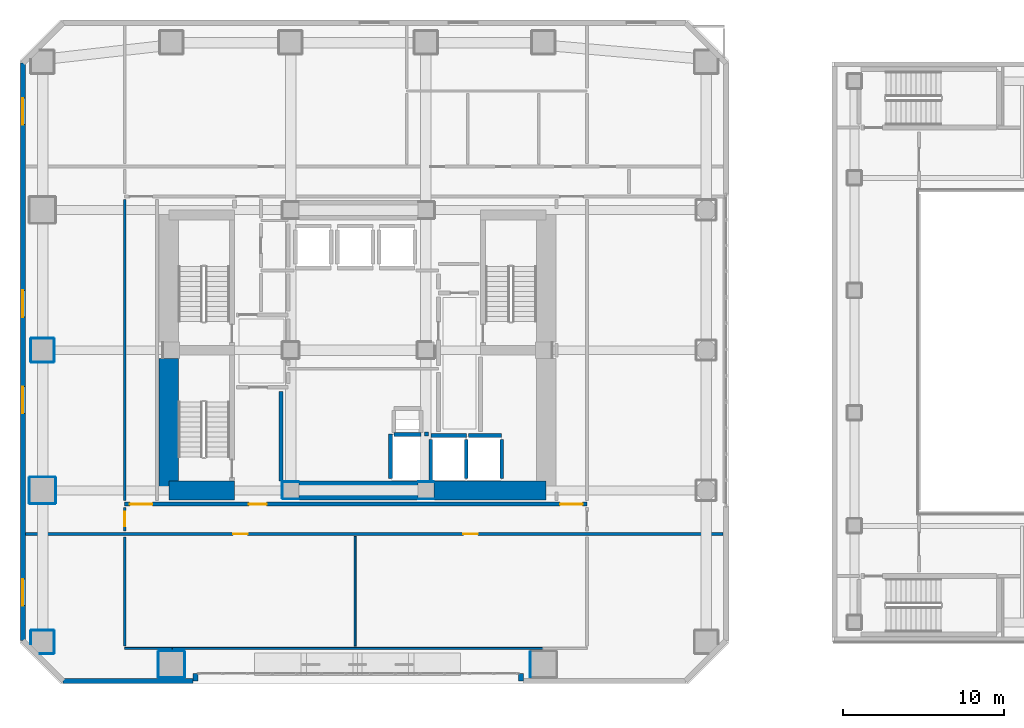
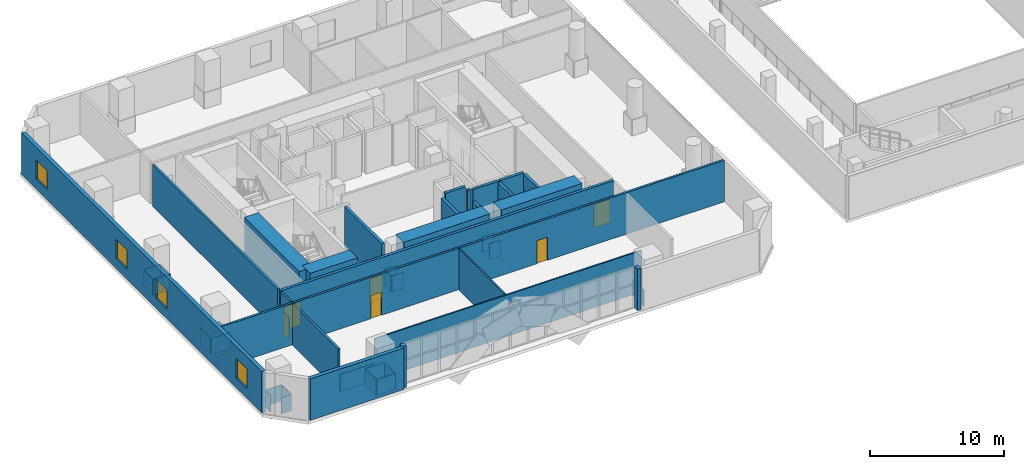
# One storey, part 14 of 22: 47 walls, 6 doors, 4 windows, 10 openings.
"""IFC4 building model written with IfcOpenShell, lengths in metres."""

from ifc_helpers import new_model, si_unit, direction, frame, frame_2d, origin, place, context, subcontext, project, spatial, rectangle, extrude, material, layer, layer_set, type_object, element, fill, save


model = new_model("IFC4")

# Units and contexts
model_context = context("Model", 3, precision=1e-05, world=origin(), true_north=direction((0.0, 1.0)))
body_context = subcontext(model_context, "Body", "Model", "MODEL_VIEW")
ifc_project = project(units=[si_unit("LENGTHUNIT", "METRE"), si_unit("AREAUNIT", "SQUARE_METRE"), si_unit("VOLUMEUNIT", "CUBIC_METRE"), si_unit("PLANEANGLEUNIT", "RADIAN"), si_unit("MASSUNIT", "GRAM", prefix="KILO")], contexts=[model_context])

# Site, building, storey
site_placement = place(None, origin())
site = spatial("IfcSite", under=ifc_project, at=site_placement, CompositionType="ELEMENT")
building_placement = place(site_placement, origin())
building = spatial("IfcBuilding", under=site, at=building_placement, Name="Solanera Arch Residences", CompositionType="ELEMENT")
storey_placement = place(building_placement, frame((0.0, 0.0, 13.60009765625)))
storey = spatial("IfcBuildingStorey", under=building, at=storey_placement, Name="L03", CompositionType="ELEMENT", Elevation=13.60009765625)

# Walls
ifc_material_1 = material(Name="Fire-Rated Gypsum Stud Partition", Category="gypsum")
ifc_layer_1 = layer(ifc_material_1, 0.06005859375)
ifc_layer_set_1 = layer_set([ifc_layer_1], Name="Fire-Rated Gypsum Stud Partition")
wall_type_1 = type_object("IfcWallType", Name="Column Acoustic Furring Wall 60", PredefinedType="PARTITIONING", material=ifc_layer_set_1)
for number, where, z_axis, x_axis, name in (
    (1, (20.300048828125, 21.468017578125, 0.0), (0.0, 0.0, 1.0), (1.0, 0.0, 0.0), "L03 Column Furring 1S"),
    (2, (20.300048828125, 22.531982421875, 0.0), (0.0, 0.0, 1.0), (1.0, 0.0, 0.0), "L03 Column Furring 1N"),
):
    element("IfcWall", number, at=place(storey_placement, frame(where, z_axis=z_axis, x_axis=x_axis)), inside=storey, type_object=wall_type_1, Name=name, PredefinedType="PARTITIONING", context=body_context, shape_type="SweptSolid", body=[
        extrude(rectangle(XDim=0.989990234375, YDim=0.06005859375, at=frame_2d((0.4951171875, 0.0))), origin(), (0.0, 0.0, 1.0), 1.449951171875),
    ])
wall_1_placement = place(storey_placement, frame((20.26806640625, 21.5, 0.0), z_axis=(0.0, 0.0, 1.0), x_axis=(0.0, 1.0, 0.0)))
element("IfcWall", 3, at=wall_1_placement, inside=storey, type_object=wall_type_1, Name="L03 Column Furring 1W", PredefinedType="PARTITIONING", context=body_context, shape_type="SweptSolid", body=[
    extrude(rectangle(XDim=1.0, YDim=0.06005859375, at=frame_2d((0.5, 0.0))), origin(), (0.0, 0.0, 1.0), 1.449951171875),
])
for number, where, z_axis, x_axis, name in (
    (4, (28.7099609375, 21.468017578125, 0.0), (0.0, 0.0, 1.0), (1.0, 0.0, 0.0), "L03 Column Furring 2S"),
    (5, (28.7099609375, 22.531982421875, 0.0), (0.0, 0.0, 1.0), (1.0, 0.0, 0.0), "L03 Column Furring 2N"),
):
    element("IfcWall", number, at=place(storey_placement, frame(where, z_axis=z_axis, x_axis=x_axis)), inside=storey, type_object=wall_type_1, Name=name, PredefinedType="PARTITIONING", context=body_context, shape_type="SweptSolid", body=[
        extrude(rectangle(XDim=0.97998046875, YDim=0.06005859375, at=frame_2d((0.489990234375, 0.0))), origin(), (0.0, 0.0, 1.0), 1.449951171875),
    ])
for number, where, z_axis, x_axis, name in (
    (6, (12.60009765625, 10.367919921875, 0.0), (0.0, 0.0, 1.0), (1.0, 0.0, 0.0), "L03 Column Furring 9S"),
    (7, (12.60009765625, 12.031982421875, 0.0), (0.0, 0.0, 1.0), (1.0, 0.0, 0.0), "L03 Column Furring 9N"),
):
    element("IfcWall", number, at=place(storey_placement, frame(where, z_axis=z_axis, x_axis=x_axis)), inside=storey, type_object=wall_type_1, Name=name, PredefinedType="PARTITIONING", context=body_context, shape_type="SweptSolid", body=[
        extrude(rectangle(XDim=1.599853515625, YDim=0.06005859375, at=frame_2d((0.7998046875, 0.0))), origin(), (0.0, 0.0, 1.0), 1.449951171875),
    ])
for number, where, z_axis, x_axis, name in (
    (8, (12.568115234375, 10.39990234375, 0.0), (0.0, 0.0, 1.0), (0.0, 1.0, 0.0), "L03 Column Furring 9W"),
    (9, (14.23193359375, 10.39990234375, 0.0), (0.0, 0.0, 1.0), (0.0, 1.0, 0.0), "L03 Column Furring 9E"),
    (10, (35.66796875, 10.39990234375, 0.0), (0.0, 0.0, 1.0), (0.0, 1.0, 0.0), "L03 Column Furring 10W"),
):
    element("IfcWall", number, at=place(storey_placement, frame(where, z_axis=z_axis, x_axis=x_axis)), inside=storey, type_object=wall_type_1, Name=name, PredefinedType="PARTITIONING", context=body_context, shape_type="SweptSolid", body=[
        extrude(rectangle(XDim=1.60009765625, YDim=0.06005859375, at=frame_2d((0.800048828125, 0.0))), origin(), (0.0, 0.0, 1.0), 1.449951171875),
    ])
for number, where, z_axis, x_axis, name in (
    (11, (4.60009765625, 21.16796875, 0.0), (0.0, 0.0, 1.0), (1.0, 0.0, 0.0), "L03 Column Furring 15S"),
    (12, (4.60009765625, 22.83203125, 0.0), (0.0, 0.0, 1.0), (1.0, 0.0, 0.0), "L03 Column Furring 15N"),
):
    element("IfcWall", number, at=place(storey_placement, frame(where, z_axis=z_axis, x_axis=x_axis)), inside=storey, type_object=wall_type_1, Name=name, PredefinedType="PARTITIONING", context=body_context, shape_type="SweptSolid", body=[
        extrude(rectangle(XDim=1.599853515625, YDim=0.06005859375, at=frame_2d((0.7998046875, 0.0))), origin(), (0.0, 0.0, 1.0), 1.449951171875),
    ])
for number, where, z_axis, x_axis, name in (
    (13, (4.568115234375, 21.199951171875, 0.0), (0.0, 0.0, 1.0), (0.0, 1.0, 0.0), "L03 Column Furring 15W"),
    (14, (6.23193359375, 21.199951171875, 0.0), (0.0, 0.0, 1.0), (0.0, 1.0, 0.0), "L03 Column Furring 15E"),
):
    element("IfcWall", number, at=place(storey_placement, frame(where, z_axis=z_axis, x_axis=x_axis)), inside=storey, type_object=wall_type_1, Name=name, PredefinedType="PARTITIONING", context=body_context, shape_type="SweptSolid", body=[
        extrude(rectangle(XDim=1.60009765625, YDim=0.06005859375, at=frame_2d((0.800048828125, 0.0))), origin(), (0.0, 0.0, 1.0), 1.449951171875),
    ])
for number, where, z_axis, x_axis, name in (
    (15, (4.699951171875, 29.968017578125, 0.0), (0.0, 0.0, 1.0), (1.0, 0.0, 0.0), "L03 Column Furring 16S"),
    (16, (4.699951171875, 31.431884765625, 0.0), (0.0, 0.0, 1.0), (1.0, 0.0, 0.0), "L03 Column Furring 16N"),
):
    element("IfcWall", number, at=place(storey_placement, frame(where, z_axis=z_axis, x_axis=x_axis)), inside=storey, type_object=wall_type_1, Name=name, PredefinedType="PARTITIONING", context=body_context, shape_type="SweptSolid", body=[
        extrude(rectangle(XDim=1.400146484375, YDim=0.06005859375, at=frame_2d((0.7001953125, 0.0))), origin(), (0.0, 0.0, 1.0), 1.449951171875),
    ])
for number, where, z_axis, x_axis, name in (
    (17, (4.66796875, 30.0, 0.0), (0.0, 0.0, 1.0), (0.0, 1.0, 0.0), "L03 Column Furring 16W"),
    (18, (6.132080078125, 30.0, 0.0), (0.0, 0.0, 1.0), (0.0, 1.0, 0.0), "L03 Column Furring 16E"),
):
    element("IfcWall", number, at=place(storey_placement, frame(where, z_axis=z_axis, x_axis=x_axis)), inside=storey, type_object=wall_type_1, Name=name, PredefinedType="PARTITIONING", context=body_context, shape_type="SweptSolid", body=[
        extrude(rectangle(XDim=1.39990234375, YDim=0.06005859375, at=frame_2d((0.699951171875, 0.0))), origin(), (0.0, 0.0, 1.0), 1.449951171875),
    ])
wall_2_placement = place(storey_placement, frame((5.239013671875, 11.867919921875, 0.0), z_axis=(0.0, 0.0, 1.0), x_axis=(1.0, 0.0, 0.0)))
element("IfcWall", 19, at=wall_2_placement, inside=storey, type_object=wall_type_1, Name="L03 Column Furring 21S", PredefinedType="PARTITIONING", context=body_context, shape_type="SweptSolid", body=[
    extrude(rectangle(XDim=0.861083984375, YDim=0.06005859375, at=frame_2d((0.4306640625, 0.0))), origin(), (0.0, 0.0, 1.0), 1.449951171875),
])
wall_3_placement = place(storey_placement, frame((4.699951171875, 13.33203125, 0.0), z_axis=(0.0, 0.0, 1.0), x_axis=(1.0, 0.0, 0.0)))
element("IfcWall", 20, at=wall_3_placement, inside=storey, type_object=wall_type_1, Name="L03 Column Furring 21N", PredefinedType="PARTITIONING", context=body_context, shape_type="SweptSolid", body=[
    extrude(rectangle(XDim=1.400146484375, YDim=0.06005859375, at=frame_2d((0.7001953125, 0.0))), origin(), (0.0, 0.0, 1.0), 1.449951171875),
])
wall_4_placement = place(storey_placement, frame((4.66796875, 12.43896484375, 0.0), z_axis=(0.0, 0.0, 1.0), x_axis=(0.0, 1.0, 0.0)))
element("IfcWall", 21, at=wall_4_placement, inside=storey, type_object=wall_type_1, Name="L03 Column Furring 21W", PredefinedType="PARTITIONING", context=body_context, shape_type="SweptSolid", body=[
    extrude(rectangle(XDim=0.861083984375, YDim=0.06005859375, at=frame_2d((0.4306640625, 0.0))), origin(), (0.0, 0.0, 1.0), 1.449951171875),
])
wall_5_placement = place(storey_placement, frame((6.132080078125, 11.89990234375, 0.0), z_axis=(0.0, 0.0, 1.0), x_axis=(0.0, 1.0, 0.0)))
element("IfcWall", 22, at=wall_5_placement, inside=storey, type_object=wall_type_1, Name="L03 Column Furring 21E", PredefinedType="PARTITIONING", context=body_context, shape_type="SweptSolid", body=[
    extrude(rectangle(XDim=1.400146484375, YDim=0.06005859375, at=frame_2d((0.7001953125, 0.0))), origin(), (0.0, 0.0, 1.0), 1.449951171875),
])
ifc_material_2 = material(Name="Concrete C55/67 (f'c = 60 MPa)", Category="concrete")
ifc_layer_2 = layer(ifc_material_2, 1.199951171875)
ifc_layer_set_2 = layer_set([ifc_layer_2], Name="Concrete C55/67 (f'c = 60 MPa)")
wall_type_2 = type_object("IfcWallType", Name="Core Shear Wall CW-1200", PredefinedType="SHEAR", material=ifc_layer_set_2)
wall_6_placement = place(storey_placement, frame((13.239990234375, 22.0, 0.0), z_axis=(0.0, 0.0, 1.0), x_axis=(0.0, 1.0, 0.0)))
element("IfcWall", 23, at=wall_6_placement, inside=storey, type_object=wall_type_2, Name="L03 West Core South Shear Wall", PredefinedType="SHEAR", context=body_context, shape_type="SweptSolid", body=[
    extrude(rectangle(XDim=8.195068359375, YDim=1.199951171875, at=frame_2d((4.09765625, 0.0))), origin(), (0.0, 0.0, 1.0), 4.199951171875),
])
wall_7_placement = place(storey_placement, frame((13.239990234375, 22.0, 0.0), z_axis=(0.0, 0.0, 1.0), x_axis=(1.0, 0.0, 0.0)))
element("IfcWall", 24, at=wall_7_placement, inside=storey, type_object=wall_type_2, Name="L03 South-West Core Shear Wall", PredefinedType="SHEAR", context=body_context, shape_type="SweptSolid", body=[
    extrude(rectangle(XDim=4.080078125, YDim=1.199951171875, at=frame_2d((2.0400390625, 0.0))), origin(), (0.0, 0.0, 1.0), 4.199951171875),
])
wall_8_placement = place(storey_placement, frame((29.705078125, 22.0, 0.0), z_axis=(0.0, 0.0, 1.0), x_axis=(1.0, 0.0, 0.0)))
element("IfcWall", 25, at=wall_8_placement, inside=storey, type_object=wall_type_2, Name="L03 South-East Core Shear Wall", PredefinedType="SHEAR", context=body_context, shape_type="SweptSolid", body=[
    extrude(rectangle(XDim=6.954833984375, YDim=1.199951171875, at=frame_2d((3.4775390625, 0.0))), origin(), (0.0, 0.0, 1.0), 4.199951171875),
])
wall_9_placement = place(storey_placement, frame((21.304931640625, 22.0, 0.0), z_axis=(0.0, 0.0, 1.0), x_axis=(1.0, 0.0, 0.0)))
element("IfcWall", 26, at=wall_9_placement, inside=storey, type_object=wall_type_2, Name="L03 Central South Core Shear Wall", PredefinedType="SHEAR", context=body_context, shape_type="SweptSolid", body=[
    extrude(rectangle(XDim=7.39013671875, YDim=1.199951171875, at=frame_2d((3.695068359375, 0.0))), origin(), (0.0, 0.0, 1.0), 4.199951171875),
])

# Wall, openings, doors
ifc_material_3 = material(Name="Autoclaved Aerated Concrete Blockwork", Category="masonry")
ifc_layer_3 = layer(ifc_material_3, 0.179931640625)
ifc_layer_set_3 = layer_set([ifc_layer_3], Name="Autoclaved Aerated Concrete Blockwork")
wall_type_3 = type_object("IfcWallType", Name="Corridor Fire Partition 180", PredefinedType="PARTITIONING", material=ifc_layer_set_3)
wall_10_placement = place(storey_placement, frame((4.35205078125, 19.300048828125, 0.0), z_axis=(0.0, 0.0, 1.0), x_axis=(1.0, 0.0, 0.0)))
wall_10 = element("IfcWall", 27, at=wall_10_placement, inside=storey, type_object=wall_type_3, Name="L03 Interior Partition H8", PredefinedType="PARTITIONING", context=body_context, shape_type="SweptSolid", body=[
    extrude(rectangle(XDim=43.2958984375, YDim=0.179931640625, at=frame_2d((21.64794921875, 0.0))), origin(), (0.0, 0.0, 1.0), 3.77978515625),
])
opening_1_placement = place(wall_10_placement, frame((12.8720703125, 0.0, 0.0)))
opening_1 = element("IfcOpeningElement", 28, at=opening_1_placement, cuts=wall_10, Name="Opening DI-02", PredefinedType="OPENING", context=body_context, shape_type="SweptSolid", body=[
    extrude(rectangle(XDim=0.89990234375, YDim=2.10009765625, at=frame_2d((0.449951171875, 1.050048828125))), frame((0.0, 0.10009765625, 0.0), z_axis=(0.0, -1.0, 0.0), x_axis=(1.0, 0.0, 0.0)), (0.0, 0.0, 1.0), 0.1999),
])
opening_2_placement = place(wall_10_placement, frame((27.174072265625, 0.0, 0.0)))
opening_2 = element("IfcOpeningElement", 29, at=opening_2_placement, cuts=wall_10, Name="Opening DI-02", PredefinedType="OPENING", context=body_context, shape_type="SweptSolid", body=[
    extrude(rectangle(XDim=0.89990234375, YDim=2.10009765625, at=frame_2d((0.449951171875, 1.050048828125))), frame((0.0, 0.10009765625, 0.0), z_axis=(0.0, -1.0, 0.0), x_axis=(1.0, 0.0, 0.0)), (0.0, 0.0, 1.0), 0.1999),
])
ifc_material_4 = material(Name="Fire-Rated Architectural Hardwood", Category="wood")
door_type_1 = type_object("IfcDoorType", Name="Suite Room Swing Door DI-02", OperationType="NOTDEFINED", PredefinedType="DOOR", material=ifc_material_4)
door_1_placement = place(opening_1_placement, origin())
door_1 = element("IfcDoor", 30, at=door_1_placement, inside=storey, type_object=door_type_1, Name="DR-L03-IN-027", OperationType="SINGLE_SWING_RIGHT", OverallHeight=2.10009765625, OverallWidth=0.89990234375, PredefinedType="DOOR", context=body_context, shape_type="SweptSolid", body=[
    extrude(rectangle(XDim=0.89990234375, YDim=2.10009765625, at=frame_2d((0.449951171875, 1.050048828125))), frame((0.0, 0.02490234375, 0.0), z_axis=(0.0, -1.0, 0.0), x_axis=(1.0, 0.0, 0.0)), (0.0, 0.0, 1.0), 0.050048828125),
])
fill(opening_1, door_1)
door_2_placement = place(opening_2_placement, origin())
door_2 = element("IfcDoor", 31, at=door_2_placement, inside=storey, type_object=door_type_1, Name="DR-L03-IN-028", OperationType="SINGLE_SWING_LEFT", OverallHeight=2.10009765625, OverallWidth=0.89990234375, PredefinedType="DOOR", context=body_context, shape_type="SweptSolid", body=[
    extrude(rectangle(XDim=0.89990234375, YDim=2.10009765625, at=frame_2d((0.449951171875, 1.050048828125))), frame((0.0, 0.02490234375, 0.0), z_axis=(0.0, -1.0, 0.0), x_axis=(1.0, 0.0, 0.0)), (0.0, 0.0, 1.0), 0.050048828125),
])
fill(opening_2, door_2)

# Wall
wall_11_placement = place(storey_placement, frame((10.5, 12.35791015625, 0.0), z_axis=(0.0, 0.0, 1.0), x_axis=(0.0, 1.0, 0.0)))
element("IfcWall", 32, at=wall_11_placement, inside=storey, type_object=wall_type_3, Name="L03 Interior Partition V6 1", PredefinedType="PARTITIONING", context=body_context, shape_type="SweptSolid", body=[
    extrude(rectangle(XDim=6.754150390625, YDim=0.179931640625, at=frame_2d((3.376953125, 0.0))), origin(), (0.0, 0.0, 1.0), 3.77978515625),
])

# Wall, opening, door
wall_12_placement = place(storey_placement, frame((10.5, 19.488037109375, 0.0), z_axis=(0.0, 0.0, 1.0), x_axis=(0.0, 1.0, 0.0)))
wall_12 = element("IfcWall", 33, at=wall_12_placement, inside=storey, type_object=wall_type_3, Name="L03 Interior Partition V6 2", PredefinedType="PARTITIONING", context=body_context, shape_type="SweptSolid", body=[
    extrude(rectangle(XDim=1.44384765625, YDim=0.179931640625, at=frame_2d((0.721923828125, 0.0))), origin(), (0.0, 0.0, 1.0), 3.77978515625),
])
opening_3_placement = place(wall_12_placement, frame((0.301025390625, 0.0, 0.0)))
opening_3 = element("IfcOpeningElement", 34, at=opening_3_placement, cuts=wall_12, Name="Opening DI-02", PredefinedType="OPENING", context=body_context, shape_type="SweptSolid", body=[
    extrude(rectangle(XDim=0.89990234375, YDim=2.10009765625, at=frame_2d((0.449951171875, 1.050048828125))), frame((0.0, 0.10009765625, 0.0), z_axis=(0.0, -1.0, 0.0), x_axis=(1.0, 0.0, 0.0)), (0.0, 0.0, 1.0), 0.1999),
])
door_3_placement = place(opening_3_placement, origin())
door_3 = element("IfcDoor", 35, at=door_3_placement, inside=storey, type_object=door_type_1, Name="DR-L03-IN-024", OperationType="SINGLE_SWING_LEFT", OverallHeight=2.10009765625, OverallWidth=0.89990234375, PredefinedType="DOOR", context=body_context, shape_type="SweptSolid", body=[
    extrude(rectangle(XDim=0.89990234375, YDim=2.10009765625, at=frame_2d((0.449951171875, 1.050048828125))), frame((0.0, 0.02490234375, 0.0), z_axis=(0.0, -1.0, 0.0), x_axis=(1.0, 0.0, 0.0)), (0.0, 0.0, 1.0), 0.050048828125),
])
fill(opening_3, door_3)

# Wall
wall_13_placement = place(storey_placement, frame((10.5, 21.367919921875, 0.0), z_axis=(0.0, 0.0, 1.0), x_axis=(0.0, 1.0, 0.0)))
element("IfcWall", 36, at=wall_13_placement, inside=storey, type_object=wall_type_3, Name="L03 Interior Partition V6 3", PredefinedType="PARTITIONING", context=body_context, shape_type="SweptSolid", body=[
    extrude(rectangle(XDim=18.694091796875, YDim=0.179931640625, at=frame_2d((9.34716796875, 0.0))), origin(), (0.0, 0.0, 1.0), 3.77978515625),
])

# Wall, openings, windows
ifc_material_5 = material(Name="Precast Concrete C35/45", Category="concrete")
ifc_layer_4 = layer(ifc_material_5, 0.320068359375)
ifc_layer_set_4 = layer_set([ifc_layer_4], Name="Precast Concrete C35/45")
wall_type_4 = type_object("IfcWallType", Name="Exterior Wall Precast Masonry-Frame 320", PredefinedType="STANDARD", material=ifc_layer_set_4)
wall_14_placement = place(storey_placement, frame((4.179931640625, 12.679931640625, 0.0), z_axis=(0.0, 0.0, 1.0), x_axis=(0.0, 1.0, 0.0)))
wall_14 = element("IfcWall", 37, at=wall_14_placement, inside=storey, type_object=wall_type_4, Name="L03 Podium Precast Masonry-Frame Wall 1", PredefinedType="STANDARD", context=body_context, shape_type="SweptSolid", body=[
    extrude(rectangle(XDim=35.840087890625, YDim=0.320068359375, at=frame_2d((17.919921875, 0.0))), origin(), (0.0, 0.0, 1.0), 3.77978515625),
])
opening_4_placement = place(wall_14_placement, frame((2.162109375, 0.0, 0.89990234375)))
opening_4 = element("IfcOpeningElement", 38, at=opening_4_placement, cuts=wall_14, Name="Opening W-08", PredefinedType="OPENING", context=body_context, shape_type="SweptSolid", body=[
    extrude(rectangle(XDim=1.64990234375, YDim=1.75, at=frame_2d((0.824951171875, 0.875))), frame((0.0, 0.169921875, 0.0), z_axis=(0.0, -1.0, 0.0), x_axis=(1.0, 0.0, 0.0)), (0.0, 0.0, 1.0), 0.3401),
])
opening_5_placement = place(wall_14_placement, frame((14.10791015625, 0.0, 0.89990234375)))
opening_5 = element("IfcOpeningElement", 39, at=opening_5_placement, cuts=wall_14, Name="Opening W-08", PredefinedType="OPENING", context=body_context, shape_type="SweptSolid", body=[
    extrude(rectangle(XDim=1.64990234375, YDim=1.75, at=frame_2d((0.824951171875, 0.875))), frame((0.0, 0.169921875, 0.0), z_axis=(0.0, -1.0, 0.0), x_axis=(1.0, 0.0, 0.0)), (0.0, 0.0, 1.0), 0.3401),
])
opening_6_placement = place(wall_14_placement, frame((20.08203125, 0.0, 0.89990234375)))
opening_6 = element("IfcOpeningElement", 40, at=opening_6_placement, cuts=wall_14, Name="Opening W-08", PredefinedType="OPENING", context=body_context, shape_type="SweptSolid", body=[
    extrude(rectangle(XDim=1.64990234375, YDim=1.75, at=frame_2d((0.824951171875, 0.875))), frame((0.0, 0.169921875, 0.0), z_axis=(0.0, -1.0, 0.0), x_axis=(1.0, 0.0, 0.0)), (0.0, 0.0, 1.0), 0.3401),
])
opening_7_placement = place(wall_14_placement, frame((32.028076171875, 0.0, 0.89990234375)))
opening_7 = element("IfcOpeningElement", 41, at=opening_7_placement, cuts=wall_14, Name="Opening W-08", PredefinedType="OPENING", context=body_context, shape_type="SweptSolid", body=[
    extrude(rectangle(XDim=1.64990234375, YDim=1.75, at=frame_2d((0.824951171875, 0.875))), frame((0.0, 0.169921875, 0.0), z_axis=(0.0, -1.0, 0.0), x_axis=(1.0, 0.0, 0.0)), (0.0, 0.0, 1.0), 0.3401),
])
ifc_material_6 = material(Name="Double Glazed Low-E Laminated Glass", Category="glass")
window_type = type_object("IfcWindowType", Name="Punched Window W-08", PartitioningType="DOUBLE_PANEL_HORIZONTAL", PredefinedType="WINDOW", material=ifc_material_6)
window_1_placement = place(opening_4_placement, origin())
window_1 = element("IfcWindow", 42, at=window_1_placement, inside=storey, type_object=window_type, Name="L03 Podium Window 1.1", OverallHeight=1.75, OverallWidth=1.64990234375, PartitioningType="SINGLE_PANEL", PredefinedType="WINDOW", context=body_context, shape_type="SweptSolid", body=[
    extrude(rectangle(XDim=1.64990234375, YDim=1.75, at=frame_2d((0.824951171875, 0.875))), frame((0.0, 0.030029296875, 0.0), z_axis=(0.0, -1.0, 0.0), x_axis=(1.0, 0.0, 0.0)), (0.0, 0.0, 1.0), 0.06005859375),
])
fill(opening_4, window_1)
window_2_placement = place(opening_5_placement, origin())
window_2 = element("IfcWindow", 43, at=window_2_placement, inside=storey, type_object=window_type, Name="L03 Podium Window 1.3", OverallHeight=1.75, OverallWidth=1.64990234375, PartitioningType="SINGLE_PANEL", PredefinedType="WINDOW", context=body_context, shape_type="SweptSolid", body=[
    extrude(rectangle(XDim=1.64990234375, YDim=1.75, at=frame_2d((0.824951171875, 0.875))), frame((0.0, 0.030029296875, 0.0), z_axis=(0.0, -1.0, 0.0), x_axis=(1.0, 0.0, 0.0)), (0.0, 0.0, 1.0), 0.06005859375),
])
fill(opening_5, window_2)
window_3_placement = place(opening_6_placement, origin())
window_3 = element("IfcWindow", 44, at=window_3_placement, inside=storey, type_object=window_type, Name="L03 Podium Window 1.4", OverallHeight=1.75, OverallWidth=1.64990234375, PartitioningType="SINGLE_PANEL", PredefinedType="WINDOW", context=body_context, shape_type="SweptSolid", body=[
    extrude(rectangle(XDim=1.64990234375, YDim=1.75, at=frame_2d((0.824951171875, 0.875))), frame((0.0, 0.030029296875, 0.0), z_axis=(0.0, -1.0, 0.0), x_axis=(1.0, 0.0, 0.0)), (0.0, 0.0, 1.0), 0.06005859375),
])
fill(opening_6, window_3)
window_4_placement = place(opening_7_placement, origin())
window_4 = element("IfcWindow", 45, at=window_4_placement, inside=storey, type_object=window_type, Name="L03 Podium Window 1.6", OverallHeight=1.75, OverallWidth=1.64990234375, PartitioningType="SINGLE_PANEL", PredefinedType="WINDOW", context=body_context, shape_type="SweptSolid", body=[
    extrude(rectangle(XDim=1.64990234375, YDim=1.75, at=frame_2d((0.824951171875, 0.875))), frame((0.0, 0.030029296875, 0.0), z_axis=(0.0, -1.0, 0.0), x_axis=(1.0, 0.0, 0.0)), (0.0, 0.0, 1.0), 0.06005859375),
])
fill(opening_7, window_4)

# Walls
for number, where, z_axis, x_axis, name in (
    (46, (35.10009765625, 10.179931640625, 0.0), (0.0, 0.0, 1.0), (0.0, 1.0, 0.0), "L03 Podium Arch East Reveal Jamb"),
    (47, (14.89990234375, 10.6298828125, 0.0), (0.0, 0.0, 1.0), (0.0, -1.0, 0.0), "L03 Podium Arch West Reveal Jamb"),
):
    element("IfcWall", number, at=place(storey_placement, frame(where, z_axis=z_axis, x_axis=x_axis)), inside=storey, type_object=wall_type_4, Name=name, PredefinedType="STANDARD", context=body_context, shape_type="SweptSolid", body=[
        extrude(rectangle(XDim=0.449951171875, YDim=0.320068359375, at=frame_2d((0.22509765625, 0.0))), origin(), (0.0, 0.0, 1.0), 3.77978515625),
    ])
wall_15_placement = place(storey_placement, frame((14.739990234375, 10.179931640625, 0.0), z_axis=(0.0, 0.0, 1.0), x_axis=(-1.0, 0.0, 0.0)))
element("IfcWall", 48, at=wall_15_placement, inside=storey, type_object=wall_type_4, Name="L03 Podium South-West Precast Pier Wall", PredefinedType="STANDARD", context=body_context, shape_type="SweptSolid", body=[
    extrude(rectangle(XDim=8.06005859375, YDim=0.320068359375, at=frame_2d((4.030029296875, 0.0))), origin(), (0.0, 0.0, 1.0), 3.77978515625),
])
ifc_material_7 = material(Name="Concrete C40/50 (f'c = 45 MPa)", Category="concrete")
ifc_layer_5 = layer(ifc_material_7, 0.239990234375)
ifc_layer_set_5 = layer_set([ifc_layer_5], Name="Concrete C40/50 (f'c = 45 MPa)")
wall_type_5 = type_object("IfcWallType", Name="Ramp Bearing Shear Wall RW-240", PredefinedType="SHEAR", material=ifc_layer_set_5)
wall_16_placement = place(storey_placement, frame((27.199951171875, 25.47998046875, 0.0), z_axis=(0.0, 0.0, 1.0), x_axis=(1.0, 0.0, 0.0)))
element("IfcWall", 49, at=wall_16_placement, inside=storey, type_object=wall_type_5, Name="L03 Core MEP Riser South Shaft Wall", PredefinedType="SHEAR", context=body_context, shape_type="SweptSolid", body=[
    extrude(rectangle(XDim=1.699951171875, YDim=0.239990234375, at=frame_2d((0.85009765625, 0.0))), origin(), (0.0, 0.0, 1.0), 4.199951171875),
])
ifc_material_8 = material(Name="Autoclaved Aerated Concrete Blockwork", Category="masonry")
ifc_layer_6 = layer(ifc_material_8, 0.239990234375)
ifc_layer_set_6 = layer_set([ifc_layer_6], Name="Autoclaved Aerated Concrete Blockwork")
wall_type_6 = type_object("IfcWallType", Name="Shaft Wall Fire-Rated 240", PredefinedType="PARTITIONING", material=ifc_layer_set_6)
wall_17_placement = place(storey_placement, frame((29.5, 25.39990234375, 0.0), z_axis=(0.0, 0.0, 1.0), x_axis=(1.0, 0.0, 0.0)))
element("IfcWall", 50, at=wall_17_placement, inside=storey, type_object=wall_type_6, Name="L03 Lift FFL-1 Hoistway Wall N", PredefinedType="PARTITIONING", context=body_context, shape_type="SweptSolid", body=[
    extrude(rectangle(XDim=2.199951171875, YDim=0.239990234375, at=frame_2d((1.10009765625, 0.0))), origin(), (0.0, 0.0, 1.0), 3.77978515625),
])
wall_18_placement = place(storey_placement, frame((29.5, 22.632080078125, 0.0), z_axis=(0.0, 0.0, 1.0), x_axis=(0.0, 1.0, 0.0)))
element("IfcWall", 51, at=wall_18_placement, inside=storey, type_object=wall_type_6, Name="L03 Lift FFL-1 Hoistway Wall W", PredefinedType="PARTITIONING", context=body_context, shape_type="SweptSolid", body=[
    extrude(rectangle(XDim=2.52001953125, YDim=0.239990234375, at=frame_2d((1.260009765625, 0.0))), origin(), (0.0, 0.0, 1.0), 2.81494140625),
])
wall_19_placement = place(storey_placement, frame((31.699951171875, 22.72998046875, 0.0), z_axis=(0.0, 0.0, 1.0), x_axis=(0.0, 1.0, 0.0)))
element("IfcWall", 52, at=wall_19_placement, inside=storey, type_object=wall_type_6, Name="L03 Lift FFL-1 Hoistway Wall E", PredefinedType="PARTITIONING", context=body_context, shape_type="SweptSolid", body=[
    extrude(rectangle(XDim=2.422119140625, YDim=0.239990234375, at=frame_2d((1.2109375, 0.0))), origin(), (0.0, 0.0, 1.0), 3.77978515625),
])
wall_20_placement = place(storey_placement, frame((31.827880859375, 25.39990234375, 0.0), z_axis=(0.0, 0.0, 1.0), x_axis=(1.0, 0.0, 0.0)))
element("IfcWall", 53, at=wall_20_placement, inside=storey, type_object=wall_type_6, Name="L03 Lift FFL-2 Hoistway Wall N", PredefinedType="PARTITIONING", context=body_context, shape_type="SweptSolid", body=[
    extrude(rectangle(XDim=2.072021484375, YDim=0.239990234375, at=frame_2d((1.0361328125, 0.0))), origin(), (0.0, 0.0, 1.0), 3.77978515625),
])
wall_21_placement = place(storey_placement, frame((33.89990234375, 22.72998046875, 0.0), z_axis=(0.0, 0.0, 1.0), x_axis=(0.0, 1.0, 0.0)))
element("IfcWall", 54, at=wall_21_placement, inside=storey, type_object=wall_type_6, Name="L03 Lift FFL-2 Hoistway Wall E", PredefinedType="PARTITIONING", context=body_context, shape_type="SweptSolid", body=[
    extrude(rectangle(XDim=2.422119140625, YDim=0.239990234375, at=frame_2d((1.2109375, 0.0))), origin(), (0.0, 0.0, 1.0), 3.77978515625),
])
wall_22_placement = place(storey_placement, frame((29.10302734375, 25.5, 0.0), z_axis=(0.0, 0.0, 1.0), x_axis=(1.0, 0.0, 0.0)))
element("IfcWall", 55, at=wall_22_placement, inside=storey, type_object=wall_type_6, Name="L03 Lift SVL-1 Hoistway Wall N", PredefinedType="PARTITIONING", context=body_context, shape_type="SweptSolid", body=[
    extrude(rectangle(XDim=0.26904296875, YDim=0.239990234375, at=frame_2d((0.134521484375, 0.0))), origin(), (0.0, 0.0, 1.0), 3.77978515625),
])
wall_23_placement = place(storey_placement, frame((27.0, 22.72998046875, 0.0), z_axis=(0.0, 0.0, 1.0), x_axis=(0.0, 1.0, 0.0)))
element("IfcWall", 56, at=wall_23_placement, inside=storey, type_object=wall_type_6, Name="L03 Lift SVL-1 Hoistway Wall W", PredefinedType="PARTITIONING", context=body_context, shape_type="SweptSolid", body=[
    extrude(rectangle(XDim=2.76806640625, YDim=0.239990234375, at=frame_2d((1.384033203125, 0.0))), origin(), (0.0, 0.0, 1.0), 3.77978515625),
])

# Wall, openings, doors
wall_24_placement = place(storey_placement, frame((10.5, 21.14990234375, 0.0), z_axis=(0.0, 0.0, 1.0), x_axis=(1.0, 0.0, 0.0)))
wall_24 = element("IfcWall", 57, at=wall_24_placement, inside=storey, type_object=wall_type_6, Name="L03 Interior Partition H1", PredefinedType="PARTITIONING", context=body_context, shape_type="SweptSolid", body=[
    extrude(rectangle(XDim=28.699951171875, YDim=0.239990234375, at=frame_2d((14.35009765625, 0.0))), origin(), (0.0, 0.0, 1.0), 3.77978515625),
])
opening_8_placement = place(wall_24_placement, frame((7.7099609375, 0.0, 0.0)))
opening_8 = element("IfcOpeningElement", 58, at=opening_8_placement, cuts=wall_24, Name="Opening DF-02", PredefinedType="OPENING", context=body_context, shape_type="SweptSolid", body=[
    extrude(rectangle(XDim=1.10009765625, YDim=2.14990234375, at=frame_2d((0.550048828125, 1.074951171875))), frame((0.0, 0.1298828125, 0.0), z_axis=(0.0, -1.0, 0.0), x_axis=(1.0, 0.0, 0.0)), (0.0, 0.0, 1.0), 0.26),
])
opening_9_placement = place(wall_24_placement, frame((0.323974609375, 0.0, 0.0)))
opening_9 = element("IfcOpeningElement", 59, at=opening_9_placement, cuts=wall_24, Name="Opening DF-03", PredefinedType="OPENING", context=body_context, shape_type="SweptSolid", body=[
    extrude(rectangle(XDim=1.39990234375, YDim=2.14990234375, at=frame_2d((0.699951171875, 1.074951171875))), frame((0.0, 0.1298828125, 0.0), z_axis=(0.0, -1.0, 0.0), x_axis=(1.0, 0.0, 0.0)), (0.0, 0.0, 1.0), 0.26),
])
opening_10_placement = place(wall_24_placement, frame((27.02587890625, 0.0, 0.0)))
opening_10 = element("IfcOpeningElement", 60, at=opening_10_placement, cuts=wall_24, Name="Opening DF-03", PredefinedType="OPENING", context=body_context, shape_type="SweptSolid", body=[
    extrude(rectangle(XDim=1.39990234375, YDim=2.14990234375, at=frame_2d((0.699951171875, 1.074951171875))), frame((0.0, 0.1298828125, 0.0), z_axis=(0.0, -1.0, 0.0), x_axis=(1.0, 0.0, 0.0)), (0.0, 0.0, 1.0), 0.26),
])
ifc_material_9 = material(Name="Fire-Rated Architectural Hardwood", Category="wood")
door_type_2 = type_object("IfcDoorType", Name="Corridor Smoke Door DF-03", OperationType="NOTDEFINED", PredefinedType="DOOR", material=ifc_material_9)
door_4_placement = place(opening_9_placement, origin())
door_4 = element("IfcDoor", 61, at=door_4_placement, inside=storey, type_object=door_type_2, Name="DR-L03-IN-014", OperationType="SINGLE_SWING_LEFT", OverallHeight=2.14990234375, OverallWidth=1.39990234375, PredefinedType="DOOR", context=body_context, shape_type="SweptSolid", body=[
    extrude(rectangle(XDim=1.39990234375, YDim=2.14990234375, at=frame_2d((0.699951171875, 1.074951171875))), frame((0.0, 0.02490234375, 0.0), z_axis=(0.0, -1.0, 0.0), x_axis=(1.0, 0.0, 0.0)), (0.0, 0.0, 1.0), 0.050048828125),
])
fill(opening_9, door_4)
door_5_placement = place(opening_10_placement, origin())
door_5 = element("IfcDoor", 62, at=door_5_placement, inside=storey, type_object=door_type_2, Name="DR-L03-IN-015", OperationType="SINGLE_SWING_RIGHT", OverallHeight=2.14990234375, OverallWidth=1.39990234375, PredefinedType="DOOR", context=body_context, shape_type="SweptSolid", body=[
    extrude(rectangle(XDim=1.39990234375, YDim=2.14990234375, at=frame_2d((0.699951171875, 1.074951171875))), frame((0.0, 0.02490234375, 0.0), z_axis=(0.0, -1.0, 0.0), x_axis=(1.0, 0.0, 0.0)), (0.0, 0.0, 1.0), 0.050048828125),
])
fill(opening_10, door_5)
ifc_material_10 = material(Name="Fire-Rated Architectural Hardwood", Category="wood")
door_type_3 = type_object("IfcDoorType", Name="Firefighting Lobby Fire Door DF-02", OperationType="NOTDEFINED", PredefinedType="DOOR", material=ifc_material_10)
door_6_placement = place(opening_8_placement, origin())
door_6 = element("IfcDoor", 63, at=door_6_placement, inside=storey, type_object=door_type_3, Name="DR-L03-IN-012", OperationType="SINGLE_SWING_LEFT", OverallHeight=2.14990234375, OverallWidth=1.10009765625, PredefinedType="DOOR", context=body_context, shape_type="SweptSolid", body=[
    extrude(rectangle(XDim=1.10009765625, YDim=2.14990234375, at=frame_2d((0.550048828125, 1.074951171875))), frame((0.0, 0.02490234375, 0.0), z_axis=(0.0, -1.0, 0.0), x_axis=(1.0, 0.0, 0.0)), (0.0, 0.0, 1.0), 0.050048828125),
])
fill(opening_8, door_6)

# Walls
wall_25_placement = place(storey_placement, frame((20.199951171875, 22.5859375, 0.0), z_axis=(0.0, 0.0, 1.0), x_axis=(0.0, 1.0, 0.0)))
element("IfcWall", 64, at=wall_25_placement, inside=storey, type_object=wall_type_6, Name="L03 Interior Partition V2", PredefinedType="PARTITIONING", context=body_context, shape_type="SweptSolid", body=[
    extrude(rectangle(XDim=5.566162109375, YDim=0.239990234375, at=frame_2d((2.783203125, 0.0))), origin(), (0.0, 0.0, 1.0), 3.77978515625),
])
ifc_material_11 = material(Name="Fire-Rated Gypsum Stud Partition", Category="gypsum")
ifc_layer_7 = layer(ifc_material_11, 0.1201171875)
ifc_layer_set_7 = layer_set([ifc_layer_7], Name="Fire-Rated Gypsum Stud Partition")
wall_type_7 = type_object("IfcWallType", Name="Unit Drywall Partition 120", PredefinedType="PARTITIONING", material=ifc_layer_set_7)
wall_26_placement = place(storey_placement, frame((10.5, 12.199951171875, 0.0), z_axis=(0.0, 0.0, 1.0), x_axis=(1.0, 0.0, 0.0)))
element("IfcWall", 65, at=wall_26_placement, inside=storey, type_object=wall_type_7, Name="L03 Interior Partition H20 1", PredefinedType="PARTITIONING", context=body_context, shape_type="SweptSolid", body=[
    extrude(rectangle(XDim=2.93994140625, YDim=0.1201171875, at=frame_2d((1.469970703125, 0.0))), origin(), (0.0, 0.0, 1.0), 1.56494140625),
])
wall_27_placement = place(storey_placement, frame((13.43994140625, 12.199951171875, 0.0), z_axis=(0.0, 0.0, 1.0), x_axis=(1.0, 0.0, 0.0)))
element("IfcWall", 66, at=wall_27_placement, inside=storey, type_object=wall_type_7, Name="L03 Interior Partition H20 2", PredefinedType="PARTITIONING", context=body_context, shape_type="SweptSolid", body=[
    extrude(rectangle(XDim=23.02001953125, YDim=0.1201171875, at=frame_2d((11.510009765625, 0.0))), origin(), (0.0, 0.0, 1.0), 3.77978515625),
])
wall_28_placement = place(storey_placement, frame((24.800048828125, 12.327880859375, 0.0), z_axis=(0.0, 0.0, 1.0), x_axis=(0.0, 1.0, 0.0)))
element("IfcWall", 67, at=wall_28_placement, inside=storey, type_object=wall_type_7, Name="L03 Interior Partition V23", PredefinedType="PARTITIONING", context=body_context, shape_type="SweptSolid", body=[
    extrude(rectangle(XDim=6.814208984375, YDim=0.1201171875, at=frame_2d((3.4072265625, 0.0))), origin(), (0.0, 0.0, 1.0), 3.77978515625),
])

save(model, "model.ifc")
